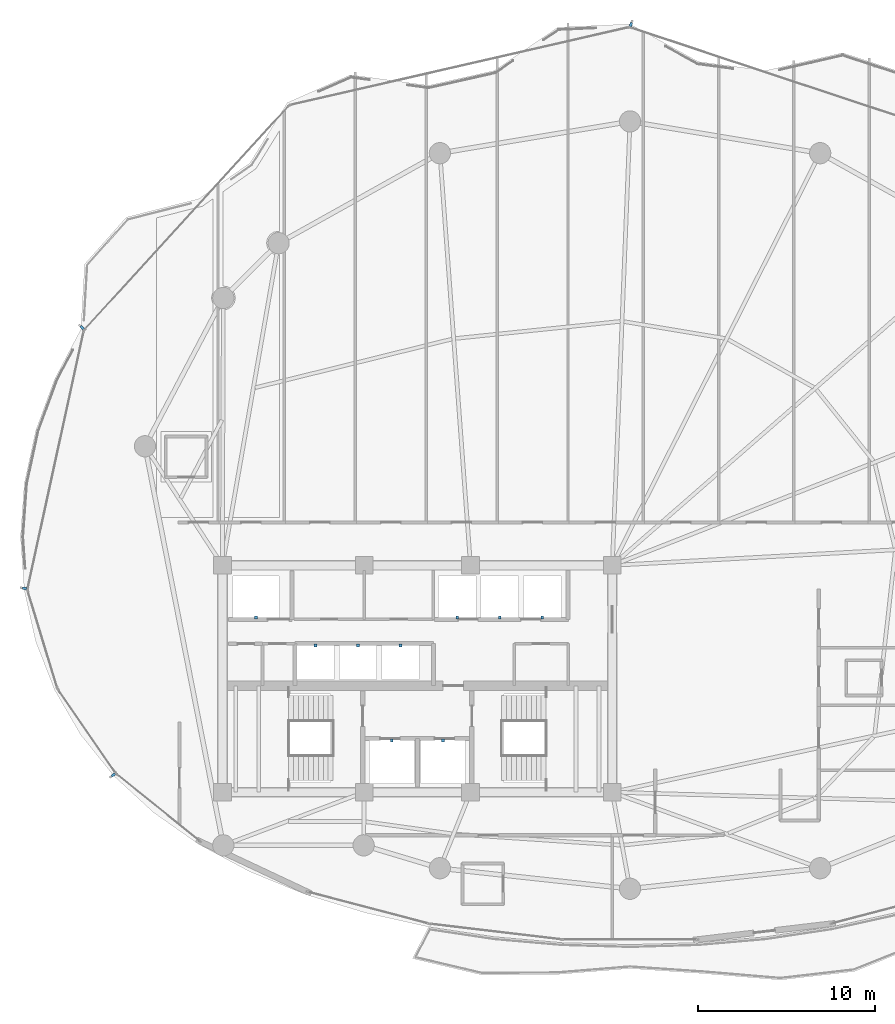
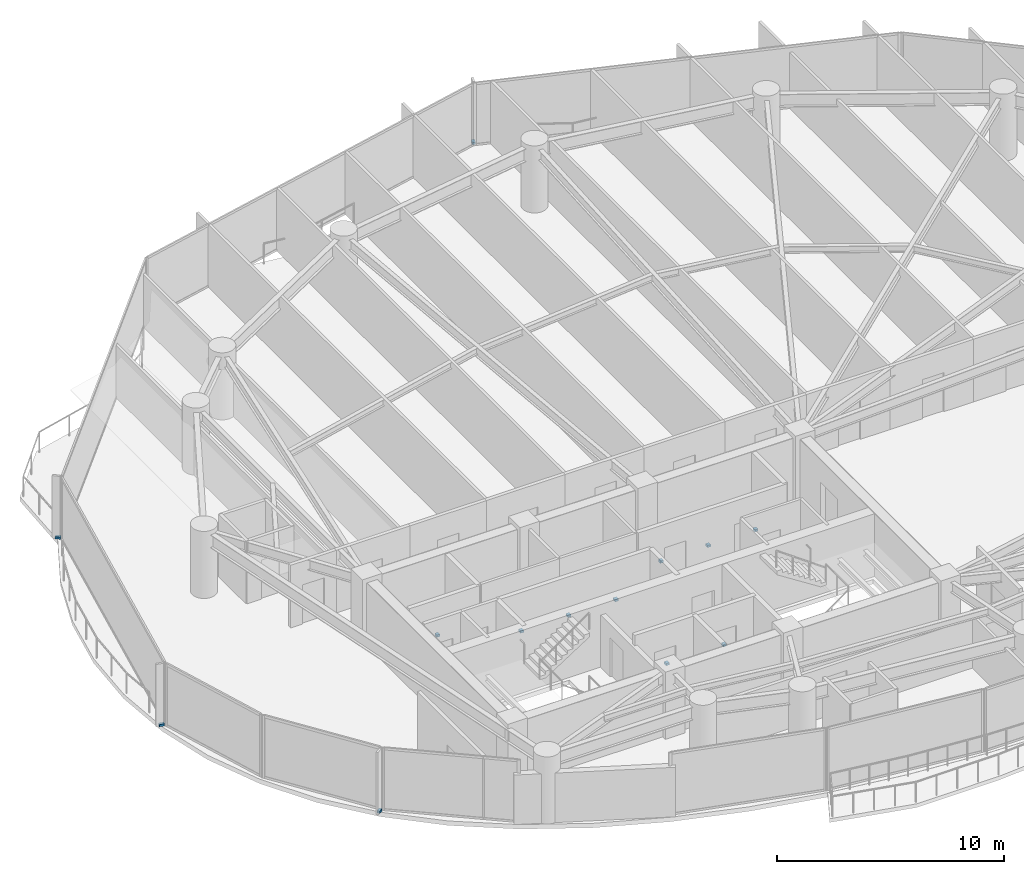
# One storey, part 29 of 34: 13 discrete accessories.
"""IFC4 building model written with IfcOpenShell, lengths in metres."""

from ifc_helpers import new_model, si_unit, direction, frame, origin, origin_2d, place, context, subcontext, project, spatial, rectangle, extrude, material, type_object, element, save


model = new_model("IFC4")

# Units and contexts
model_context = context("Model", 3, precision=1e-05, world=origin(), true_north=direction((0.0, 1.0)))
body_context = subcontext(model_context, "Body", "Model", "MODEL_VIEW")
ifc_project = project(units=[si_unit("LENGTHUNIT", "METRE"), si_unit("AREAUNIT", "SQUARE_METRE"), si_unit("VOLUMEUNIT", "CUBIC_METRE"), si_unit("PLANEANGLEUNIT", "RADIAN"), si_unit("MASSUNIT", "GRAM", prefix="KILO")], contexts=[model_context])

# Site, building, storey
site_placement = place(None, origin())
site = spatial("IfcSite", under=ifc_project, at=site_placement, CompositionType="ELEMENT")
building_placement = place(site_placement, origin())
building = spatial("IfcBuilding", under=site, at=building_placement, Name="Kazevale Care Tower and Concert Hall", CompositionType="ELEMENT")
storey_placement = place(building_placement, frame((0.0, 0.0, 167.39990234375)))
storey = spatial("IfcBuildingStorey", under=building, at=storey_placement, Name="L44", CompositionType="ELEMENT", Elevation=167.39990234375)

# Discrete accessories
ifc_material = material(Name="Stainless Steel 316", Category="steel")
discrete_accessory_type_1 = type_object("IfcDiscreteAccessoryType", Name="Facade Fin Stainless Anchor Bracket BRK-1", PredefinedType="BRACKET", material=ifc_material)
for number, where, z_axis, x_axis, name in (
    (1, (15.84130859375, 24.574462890625, 0.0), (0.0, 0.0, 1.0), (-0.823334533242, -0.567556381667, 0.0), "cw:L44:f11:brk"),
    (2, (10.83740234375, 35.099365234375, 0.0), (0.0, 0.0, 1.0), (-0.97708274037, 0.212859856409, 0.0), "cw:L44:f13:brk"),
    (3, (14.08544921875, 49.80908203125, 0.0), (0.0, 0.0, 1.0), (-0.738455340626, 0.674302387584, 0.0), "cw:L44:f14:brk"),
    (4, (45.049560546875, 66.916748046875, 0.0), (0.0, 0.0, 1.0), (0.314820866332, 0.949151106053, 0.0), "cw:L44:f16:brk"),
):
    element("IfcDiscreteAccessory", number, at=place(storey_placement, frame(where, z_axis=z_axis, x_axis=x_axis)), inside=storey, type_object=discrete_accessory_type_1, Name=name, PredefinedType="BRACKET", context=body_context, shape_type="SweptSolid", body=[
        extrude(rectangle(XDim=0.239990234375, YDim=0.139892578125, at=origin_2d()), origin(), (0.0, 0.0, 1.0), 0.1201171875),
    ])
discrete_accessory_type_2 = type_object("IfcDiscreteAccessoryType", Name="Hoistway Guide-Rail Wall Bracket HBRK-1", PredefinedType="BRACKET", material=ifc_material)
for number, where, z_axis, x_axis, name in (
    (5, (31.550048828125, 26.52001953125, 1.239990234375), (0.0, 0.0, 1.0), (1.0, 0.0, 0.0), "hbrk:FFL-1:L44"),
    (6, (34.449951171875, 26.52001953125, 1.239990234375), (0.0, 0.0, 1.0), (1.0, 0.0, 0.0), "hbrk:FFL-2:L44"),
    (7, (23.89990234375, 33.449951171875, 1.239990234375), (0.0, 0.0, 1.0), (1.0, 0.0, 0.0), "hbrk:SVL-1:L44"),
    (8, (35.25, 33.449951171875, 1.239990234375), (0.0, 0.0, 1.0), (1.0, 0.0, 0.0), "hbrk:PM-1:L44"),
    (9, (37.64990234375, 33.449951171875, 1.239990234375), (0.0, 0.0, 1.0), (1.0, 0.0, 0.0), "hbrk:PM-2:L44"),
    (10, (40.050048828125, 33.449951171875, 1.239990234375), (0.0, 0.0, 1.0), (1.0, 0.0, 0.0), "hbrk:PM-3:L44"),
    (11, (27.25, 31.8798828125, 1.239990234375), (0.0, 0.0, 1.0), (1.0, 0.0, 0.0), "hbrk:PH-1:L44"),
    (12, (29.64990234375, 31.8798828125, 1.239990234375), (0.0, 0.0, 1.0), (1.0, 0.0, 0.0), "hbrk:PH-2:L44"),
    (13, (32.050048828125, 31.8798828125, 1.239990234375), (0.0, 0.0, 1.0), (1.0, 0.0, 0.0), "hbrk:PH-3:L44"),
):
    element("IfcDiscreteAccessory", number, at=place(storey_placement, frame(where, z_axis=z_axis, x_axis=x_axis)), inside=storey, type_object=discrete_accessory_type_2, Name=name, PredefinedType="BRACKET", context=body_context, shape_type="SweptSolid", body=[
        extrude(rectangle(XDim=0.159912109375, YDim=0.179931640625, at=origin_2d()), origin(), (0.0, 0.0, 1.0), 0.1201171875),
    ])

save(model, "model.ifc")
